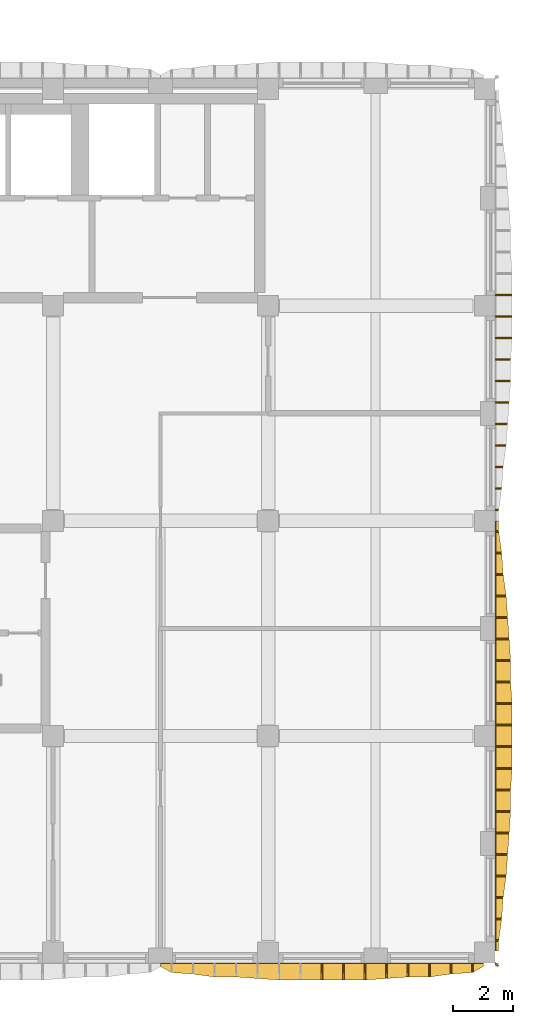
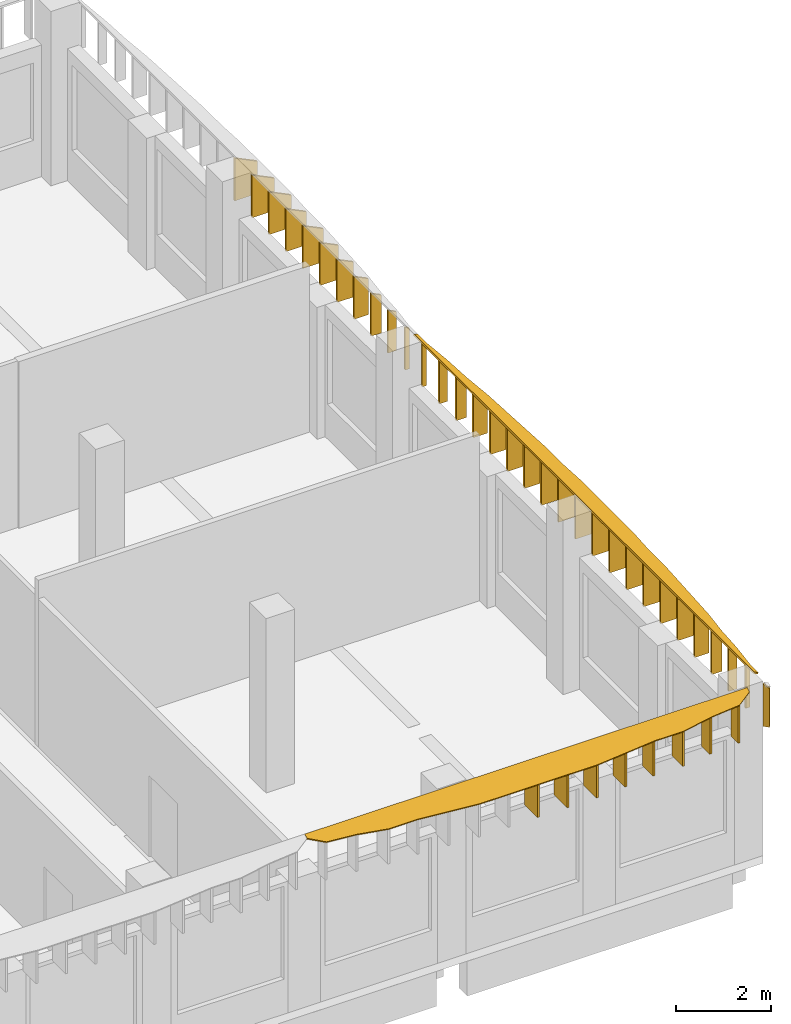
# One storey, part 27 of 44: 42 shading devices.
"""IFC4 building model written with IfcOpenShell, lengths in metres."""

from ifc_helpers import new_model, si_unit, direction, frame, origin, place, context, subcontext, project, spatial, polyline, outline, extrude, material, layer, layer_set, type_object, element, save


model = new_model("IFC4")

# Units and contexts
model_context = context("Model", 3, precision=1e-05, world=origin(), true_north=direction((0.0, 1.0)))
body_context = subcontext(model_context, "Body", "Model", "MODEL_VIEW")
ifc_project = project(units=[si_unit("LENGTHUNIT", "METRE"), si_unit("AREAUNIT", "SQUARE_METRE"), si_unit("VOLUMEUNIT", "CUBIC_METRE"), si_unit("PLANEANGLEUNIT", "RADIAN"), si_unit("MASSUNIT", "GRAM", prefix="KILO")], contexts=[model_context])

# Site, building, storey
site_placement = place(None, origin())
site = spatial("IfcSite", under=ifc_project, at=site_placement, CompositionType="ELEMENT")
building_placement = place(site_placement, origin())
building = spatial("IfcBuilding", under=site, at=building_placement, Name="Ussher Court Research Institute", CompositionType="ELEMENT")
storey_placement = place(building_placement, frame((0.0, 0.0, 18.89990234375)))
storey = spatial("IfcBuildingStorey", under=building, at=storey_placement, Name="L04", CompositionType="ELEMENT", Elevation=18.89990234375)

# Shading devices
ifc_material_1 = material(Name="Bronze anodised aluminium", Category="aluminium")
ifc_layer_1 = layer(ifc_material_1, 0.050048828125)
ifc_layer_set_1 = layer_set([ifc_layer_1], Name="Bronze anodised aluminium")
shading_device_type_1 = type_object("IfcShadingDeviceType", Name="Brim blade 100 mm deep 1100 mm high canted 26 deg wet", PredefinedType="USERDEFINED", material=ifc_layer_set_1)
for number, where, z_axis, x_axis, name in (
    (1, (104.199951171875, 18.760009765625, 3.35009765625), (0.0, 0.0, 1.0), (1.0, 0.0, 0.0), "Brim blade BS10 L04"),
    (2, (104.199951171875, 18.0400390625, 3.35009765625), (0.0, 0.0, 1.0), (1.0, 0.0, 0.0), "Brim blade BS10 L04"),
    (3, (104.199951171875, 4.360107421875, 3.35009765625), (0.0, 0.0, 1.0), (1.0, 0.0, 0.0), "Brim blade BS10 L04"),
):
    element("IfcShadingDevice", number, at=place(storey_placement, frame(where, z_axis=z_axis, x_axis=x_axis)), inside=storey, type_object=shading_device_type_1, Name=name, ObjectType="BLADE", PredefinedType="USERDEFINED", context=body_context, shape_type="SweptSolid", body=[
        extrude(outline(polyline([(0.0, 0.0), (0.10009765625, 0.0), (0.10009765625, 1.05126953125), (0.0, 1.10009765625), (0.0, 0.0)])), frame((0.0, 0.02490234375, 0.0), z_axis=(0.0, -1.0, 0.0), x_axis=(1.0, 0.0, 0.0)), (0.0, 0.0, 1.0), 0.050048828125),
    ])
ifc_material_2 = material(Name="Bronze anodised aluminium", Category="aluminium")
ifc_layer_2 = layer(ifc_material_2, 0.050048828125)
ifc_layer_set_2 = layer_set([ifc_layer_2], Name="Bronze anodised aluminium")
shading_device_type_2 = type_object("IfcShadingDeviceType", Name="Brim blade 200 mm deep 1100 mm high canted 26 deg wet", PredefinedType="USERDEFINED", material=ifc_layer_set_2)
for number, where, z_axis, x_axis, name in (
    (4, (104.199951171875, 19.47998046875, 3.35009765625), (0.0, 0.0, 1.0), (1.0, 0.0, 0.0), "Brim blade BS08 L04"),
    (5, (104.199951171875, 17.320068359375, 3.35009765625), (0.0, 0.0, 1.0), (1.0, 0.0, 0.0), "Brim blade BS08 L04"),
    (6, (104.199951171875, 5.080078125, 3.35009765625), (0.0, 0.0, 1.0), (1.0, 0.0, 0.0), "Brim blade BS08 L04"),
):
    element("IfcShadingDevice", number, at=place(storey_placement, frame(where, z_axis=z_axis, x_axis=x_axis)), inside=storey, type_object=shading_device_type_2, Name=name, ObjectType="BLADE", PredefinedType="USERDEFINED", context=body_context, shape_type="SweptSolid", body=[
        extrude(outline(polyline([(0.0, 0.0), (0.199951171875, 0.0), (0.199951171875, 1.00244140625), (0.0, 1.10009765625), (0.0, 0.0)])), frame((0.0, 0.02490234375, 0.0), z_axis=(0.0, -1.0, 0.0), x_axis=(1.0, 0.0, 0.0)), (0.0, 0.0, 1.0), 0.050048828125),
    ])
ifc_material_3 = material(Name="Bronze anodised aluminium", Category="aluminium")
ifc_layer_3 = layer(ifc_material_3, 0.050048828125)
ifc_layer_set_3 = layer_set([ifc_layer_3], Name="Bronze anodised aluminium")
shading_device_type_3 = type_object("IfcShadingDeviceType", Name="Brim blade 250 mm deep 1100 mm high canted 26 deg wet", PredefinedType="USERDEFINED", material=ifc_layer_set_3)
for number, where, z_axis, x_axis, name in (
    (7, (104.199951171875, 20.199951171875, 3.35009765625), (0.0, 0.0, 1.0), (1.0, 0.0, 0.0), "Brim blade BS07 L04"),
    (8, (104.199951171875, 16.60009765625, 3.35009765625), (0.0, 0.0, 1.0), (1.0, 0.0, 0.0), "Brim blade BS07 L04"),
    (9, (104.199951171875, 5.800048828125, 3.35009765625), (0.0, 0.0, 1.0), (1.0, 0.0, 0.0), "Brim blade BS07 L04"),
):
    element("IfcShadingDevice", number, at=place(storey_placement, frame(where, z_axis=z_axis, x_axis=x_axis)), inside=storey, type_object=shading_device_type_3, Name=name, ObjectType="BLADE", PredefinedType="USERDEFINED", context=body_context, shape_type="SweptSolid", body=[
        extrude(outline(polyline([(0.0, 0.0), (0.25, 0.0), (0.25, 0.97802734375), (0.0, 1.10009765625), (0.0, 0.0)])), frame((0.0, 0.02490234375, 0.0), z_axis=(0.0, -1.0, 0.0), x_axis=(1.0, 0.0, 0.0)), (0.0, 0.0, 1.0), 0.050048828125),
    ])
ifc_material_4 = material(Name="Bronze anodised aluminium", Category="aluminium")
ifc_layer_4 = layer(ifc_material_4, 0.050048828125)
ifc_layer_set_4 = layer_set([ifc_layer_4], Name="Bronze anodised aluminium")
shading_device_type_4 = type_object("IfcShadingDeviceType", Name="Brim blade 300 mm deep 1100 mm high canted 26 deg wet", PredefinedType="USERDEFINED", material=ifc_layer_set_4)
shading_device_1_placement = place(storey_placement, frame((103.43994140625, 3.60009765625, 3.35009765625), z_axis=(0.0, 0.0, 1.0), x_axis=(0.0, -1.0, 0.0)))
element("IfcShadingDevice", 10, at=shading_device_1_placement, inside=storey, type_object=shading_device_type_4, Name="Brim blade BS06 L04", ObjectType="BLADE", PredefinedType="USERDEFINED", context=body_context, shape_type="SweptSolid", body=[
    extrude(outline(polyline([(0.0, 0.0), (0.300048828125, 0.0), (0.300048828125, 0.95361328125), (0.0, 1.10009765625), (0.0, 0.0)])), frame((0.0, 0.02490234375, 0.0), z_axis=(0.0, -1.0, 0.0), x_axis=(1.0, 0.0, 0.0)), (0.0, 0.0, 1.0), 0.050048828125),
])
ifc_material_5 = material(Name="Bronze anodised aluminium", Category="aluminium")
ifc_layer_5 = layer(ifc_material_5, 0.050048828125)
ifc_layer_set_5 = layer_set([ifc_layer_5], Name="Bronze anodised aluminium")
shading_device_type_5 = type_object("IfcShadingDeviceType", Name="Brim blade 350 mm deep 1100 mm high canted 26 deg wet", PredefinedType="USERDEFINED", material=ifc_layer_set_5)
for number, where, z_axis, x_axis, name in (
    (11, (104.199951171875, 20.919921875, 3.35009765625), (0.0, 0.0, 1.0), (1.0, 0.0, 0.0), "Brim blade BS05 L04"),
    (12, (104.199951171875, 15.8798828125, 3.35009765625), (0.0, 0.0, 1.0), (1.0, 0.0, 0.0), "Brim blade BS05 L04"),
    (13, (104.199951171875, 6.52001953125, 3.35009765625), (0.0, 0.0, 1.0), (1.0, 0.0, 0.0), "Brim blade BS05 L04"),
    (14, (102.719970703125, 3.60009765625, 3.35009765625), (0.0, 0.0, 1.0), (0.0, -1.0, 0.0), "Brim blade BS05 L04"),
):
    element("IfcShadingDevice", number, at=place(storey_placement, frame(where, z_axis=z_axis, x_axis=x_axis)), inside=storey, type_object=shading_device_type_5, Name=name, ObjectType="BLADE", PredefinedType="USERDEFINED", context=body_context, shape_type="SweptSolid", body=[
        extrude(outline(polyline([(0.0, 0.0), (0.35009765625, 0.0), (0.35009765625, 0.92919921875), (0.0, 1.10009765625), (0.0, 0.0)])), frame((0.0, 0.02490234375, 0.0), z_axis=(0.0, -1.0, 0.0), x_axis=(1.0, 0.0, 0.0)), (0.0, 0.0, 1.0), 0.050048828125),
    ])
ifc_material_6 = material(Name="Bronze anodised aluminium", Category="aluminium")
ifc_layer_6 = layer(ifc_material_6, 0.050048828125)
ifc_layer_set_6 = layer_set([ifc_layer_6], Name="Bronze anodised aluminium")
shading_device_type_6 = type_object("IfcShadingDeviceType", Name="Brim blade 400 mm deep 1100 mm high canted 26 deg wet", PredefinedType="USERDEFINED", material=ifc_layer_set_6)
for number, where, z_axis, x_axis, name in (
    (15, (104.199951171875, 21.639892578125, 3.35009765625), (0.0, 0.0, 1.0), (1.0, 0.0, 0.0), "Brim blade BS04 L04"),
    (16, (104.199951171875, 15.159912109375, 3.35009765625), (0.0, 0.0, 1.0), (1.0, 0.0, 0.0), "Brim blade BS04 L04"),
    (17, (104.199951171875, 7.239990234375, 3.35009765625), (0.0, 0.0, 1.0), (1.0, 0.0, 0.0), "Brim blade BS04 L04"),
):
    element("IfcShadingDevice", number, at=place(storey_placement, frame(where, z_axis=z_axis, x_axis=x_axis)), inside=storey, type_object=shading_device_type_6, Name=name, ObjectType="BLADE", PredefinedType="USERDEFINED", context=body_context, shape_type="SweptSolid", body=[
        extrude(outline(polyline([(0.0, 0.0), (0.400146484375, 0.0), (0.39990234375, 0.90478515625), (0.0, 1.10009765625), (0.0, 0.0)])), frame((0.0, 0.02490234375, 0.0), z_axis=(0.0, -1.0, 0.0), x_axis=(1.0, 0.0, 0.0)), (0.0, 0.0, 1.0), 0.050048828125),
    ])
ifc_material_7 = material(Name="Bronze anodised aluminium", Category="aluminium")
ifc_layer_7 = layer(ifc_material_7, 0.050048828125)
ifc_layer_set_7 = layer_set([ifc_layer_7], Name="Bronze anodised aluminium")
shading_device_type_7 = type_object("IfcShadingDeviceType", Name="Brim blade 450 mm deep 1100 mm high canted 26 deg wet", PredefinedType="USERDEFINED", material=ifc_layer_set_7)
for number, where, z_axis, x_axis, name in (
    (18, (104.199951171875, 22.360107421875, 3.35009765625), (0.0, 0.0, 1.0), (1.0, 0.0, 0.0), "Brim blade BS03 L04"),
    (19, (104.199951171875, 14.43994140625, 3.35009765625), (0.0, 0.0, 1.0), (1.0, 0.0, 0.0), "Brim blade BS03 L04"),
    (20, (104.199951171875, 7.9599609375, 3.35009765625), (0.0, 0.0, 1.0), (1.0, 0.0, 0.0), "Brim blade BS03 L04"),
):
    element("IfcShadingDevice", number, at=place(storey_placement, frame(where, z_axis=z_axis, x_axis=x_axis)), inside=storey, type_object=shading_device_type_7, Name=name, ObjectType="BLADE", PredefinedType="USERDEFINED", context=body_context, shape_type="SweptSolid", body=[
        extrude(outline(polyline([(0.0, 0.0), (0.449951171875, 0.0), (0.449951171875, 0.880615234375), (0.0, 1.10009765625), (0.0, 0.0)])), frame((0.0, 0.02490234375, 0.0), z_axis=(0.0, -1.0, 0.0), x_axis=(1.0, 0.0, 0.0)), (0.0, 0.0, 1.0), 0.050048828125),
    ])
for number, where, z_axis, x_axis, name in (
    (21, (102.0, 3.60009765625, 3.35009765625), (0.0, 0.0, 1.0), (0.0, -1.0, 0.0), "Brim blade BS03 L04"),
    (22, (101.280029296875, 3.60009765625, 3.35009765625), (0.0, 0.0, 1.0), (0.0, -1.0, 0.0), "Brim blade BS03 L04"),
):
    element("IfcShadingDevice", number, at=place(storey_placement, frame(where, z_axis=z_axis, x_axis=x_axis)), inside=storey, type_object=shading_device_type_7, Name=name, ObjectType="BLADE", PredefinedType="USERDEFINED", context=body_context, shape_type="SweptSolid", body=[
        extrude(outline(polyline([(0.0, 0.0), (0.4501953125, 0.0), (0.449951171875, 0.880615234375), (0.0, 1.10009765625), (0.0, 0.0)])), frame((0.0, 0.02490234375, 0.0), z_axis=(0.0, -1.0, 0.0), x_axis=(1.0, 0.0, 0.0)), (0.0, 0.0, 1.0), 0.050048828125),
    ])
ifc_material_8 = material(Name="Bronze anodised aluminium", Category="aluminium")
ifc_layer_8 = layer(ifc_material_8, 0.050048828125)
ifc_layer_set_8 = layer_set([ifc_layer_8], Name="Bronze anodised aluminium")
shading_device_type_8 = type_object("IfcShadingDeviceType", Name="Brim blade 500 mm deep 1100 mm high canted 26 deg wet", PredefinedType="USERDEFINED", material=ifc_layer_set_8)
for number, where, z_axis, x_axis, name in (
    (23, (104.199951171875, 23.800048828125, 3.35009765625), (0.0, 0.0, 1.0), (1.0, 0.0, 0.0), "Brim blade BS02 L04"),
    (24, (104.199951171875, 23.080078125, 3.35009765625), (0.0, 0.0, 1.0), (1.0, 0.0, 0.0), "Brim blade BS02 L04"),
    (25, (104.199951171875, 13.719970703125, 3.35009765625), (0.0, 0.0, 1.0), (1.0, 0.0, 0.0), "Brim blade BS02 L04"),
    (26, (104.199951171875, 13.0, 3.35009765625), (0.0, 0.0, 1.0), (1.0, 0.0, 0.0), "Brim blade BS02 L04"),
    (27, (104.199951171875, 9.39990234375, 3.35009765625), (0.0, 0.0, 1.0), (1.0, 0.0, 0.0), "Brim blade BS02 L04"),
    (28, (104.199951171875, 8.679931640625, 3.35009765625), (0.0, 0.0, 1.0), (1.0, 0.0, 0.0), "Brim blade BS02 L04"),
    (29, (100.56005859375, 3.60009765625, 3.35009765625), (0.0, 0.0, 1.0), (0.0, -1.0, 0.0), "Brim blade BS02 L04"),
):
    element("IfcShadingDevice", number, at=place(storey_placement, frame(where, z_axis=z_axis, x_axis=x_axis)), inside=storey, type_object=shading_device_type_8, Name=name, ObjectType="BLADE", PredefinedType="USERDEFINED", context=body_context, shape_type="SweptSolid", body=[
        extrude(outline(polyline([(0.0, 0.0), (0.5, 0.0), (0.5, 0.856201171875), (0.0, 1.10009765625), (0.0, 0.0)])), frame((0.0, 0.02490234375, 0.0), z_axis=(0.0, -1.0, 0.0), x_axis=(1.0, 0.0, 0.0)), (0.0, 0.0, 1.0), 0.050048828125),
    ])
ifc_material_9 = material(Name="Bronze anodised aluminium", Category="aluminium")
ifc_layer_9 = layer(ifc_material_9, 0.050048828125)
ifc_layer_set_9 = layer_set([ifc_layer_9], Name="Bronze anodised aluminium")
shading_device_type_9 = type_object("IfcShadingDeviceType", Name="Brim blade 550 mm deep 1100 mm high canted 26 deg wet", PredefinedType="USERDEFINED", material=ifc_layer_set_9)
for number, where, z_axis, x_axis, name in (
    (30, (104.199951171875, 25.9599609375, 3.35009765625), (0.0, 0.0, 1.0), (1.0, 0.0, 0.0), "Brim blade BS01 L04"),
    (31, (104.199951171875, 25.239990234375, 3.35009765625), (0.0, 0.0, 1.0), (1.0, 0.0, 0.0), "Brim blade BS01 L04"),
    (32, (104.199951171875, 24.52001953125, 3.35009765625), (0.0, 0.0, 1.0), (1.0, 0.0, 0.0), "Brim blade BS01 L04"),
    (33, (104.199951171875, 12.280029296875, 3.35009765625), (0.0, 0.0, 1.0), (1.0, 0.0, 0.0), "Brim blade BS01 L04"),
    (34, (104.199951171875, 11.56005859375, 3.35009765625), (0.0, 0.0, 1.0), (1.0, 0.0, 0.0), "Brim blade BS01 L04"),
    (35, (104.199951171875, 10.840087890625, 3.35009765625), (0.0, 0.0, 1.0), (1.0, 0.0, 0.0), "Brim blade BS01 L04"),
    (36, (104.199951171875, 10.1201171875, 3.35009765625), (0.0, 0.0, 1.0), (1.0, 0.0, 0.0), "Brim blade BS01 L04"),
    (37, (99.840087890625, 3.60009765625, 3.35009765625), (0.0, 0.0, 1.0), (0.0, -1.0, 0.0), "Brim blade BS01 L04"),
    (38, (99.1201171875, 3.60009765625, 3.35009765625), (0.0, 0.0, 1.0), (0.0, -1.0, 0.0), "Brim blade BS01 L04"),
    (39, (98.39990234375, 3.60009765625, 3.35009765625), (0.0, 0.0, 1.0), (0.0, -1.0, 0.0), "Brim blade BS01 L04"),
):
    element("IfcShadingDevice", number, at=place(storey_placement, frame(where, z_axis=z_axis, x_axis=x_axis)), inside=storey, type_object=shading_device_type_9, Name=name, ObjectType="BLADE", PredefinedType="USERDEFINED", context=body_context, shape_type="SweptSolid", body=[
        extrude(outline(polyline([(0.0, 0.0), (0.550048828125, 0.0), (0.550048828125, 0.831787109375), (0.0, 1.10009765625), (0.0, 0.0)])), frame((0.0, 0.02490234375, 0.0), z_axis=(0.0, -1.0, 0.0), x_axis=(1.0, 0.0, 0.0)), (0.0, 0.0, 1.0), 0.050048828125),
    ])
ifc_material_10 = material(Name="Bronze anodised aluminium", Category="aluminium")
ifc_layer_10 = layer(ifc_material_10, 0.050048828125)
ifc_layer_set_10 = layer_set([ifc_layer_10], Name="Bronze anodised aluminium")
shading_device_type_10 = type_object("IfcShadingDeviceType", Name="Brim mitre blade 100 mm deep 1100 mm high canted 26 deg wet", PredefinedType="USERDEFINED", material=ifc_layer_set_10)
shading_device_2_placement = place(storey_placement, frame((104.199951171875, 3.60009765625, 3.35009765625), z_axis=(0.0, 0.0, 1.0), x_axis=(0.707106781187, -0.707106781187, 0.0)))
element("IfcShadingDevice", 40, at=shading_device_2_placement, inside=storey, type_object=shading_device_type_10, Name="Brim mitre blade BS18 L04", ObjectType="BLADE", PredefinedType="USERDEFINED", context=body_context, shape_type="SweptSolid", body=[
    extrude(outline(polyline([(0.0, 0.0), (0.1416015625, 0.0), (0.141357421875, 1.00244140625), (0.0, 1.10009765625), (0.0, 0.0)])), frame((0.0, 0.02490234375, 0.0), z_axis=(0.0, -1.0, 0.0), x_axis=(1.0, 0.0, 0.0)), (0.0, 0.0, 1.0), 0.050048828125),
])
ifc_material_11 = material(Name="Bronze anodised aluminium", Category="aluminium")
ifc_layer_11 = layer(ifc_material_11, 0.0400390625)
ifc_layer_set_11 = layer_set([ifc_layer_11], Name="Bronze anodised aluminium")
shading_device_type_11 = type_object("IfcShadingDeviceType", Name="Brim visor sheet 40 mm canted 26 deg wet", PredefinedType="USERDEFINED", material=ifc_layer_set_11)
shading_device_3_placement = place(storey_placement, frame((104.217529296875, 18.39990234375, 4.486083984375), z_axis=(0.438529187419, 0.0, 0.898716947532), x_axis=(0.0, -1.0, 0.0)))
element("IfcShadingDevice", 41, at=shading_device_3_placement, inside=storey, type_object=shading_device_type_11, Name="Brim visor sheet BR1 L04", ObjectType="BRIM", PredefinedType="USERDEFINED", context=body_context, shape_type="SweptSolid", body=[
    extrude(outline(polyline([(0.0, 0.0), (14.39990234375, 0.0), (14.39990234375, 0.11115260474230423), (14.039794921875, 0.11115260474230423), (13.31982421875, 0.22252462280187707), (12.599853515625, 0.2782106318316635), (11.8798828125, 0.38936323657396776), (11.159912109375, 0.4449421828138569), (10.43994140625, 0.5006281918436433), (9.719970703125, 0.5563142008734296), (9.0, 0.5563142008734296), (8.27978515625, 0.6120002099032161), (7.559814453125, 0.6120002099032161), (6.83984375, 0.6120002099032161), (6.119873046875, 0.6120002099032161), (5.39990234375, 0.5563142008734296), (4.679931640625, 0.5563142008734296), (3.9599609375, 0.5006281918436433), (3.239990234375, 0.4449421828138569), (2.52001953125, 0.38936323657396776), (1.7998046875, 0.2782106318316635), (1.079833984375, 0.22252462280187707), (0.35986328125, 0.11115260474230423), (0.0, 0.11115260474230423), (0.0, 0.0)])), origin(), (0.0, 0.0, -1.0), 0.0400390625),
])
shading_device_4_placement = place(storey_placement, frame((103.800048828125, 3.58251953125, 4.486083984375), z_axis=(0.0, -0.438461416816, 0.898750013054), x_axis=(-1.0, 0.0, 0.0)))
element("IfcShadingDevice", 42, at=shading_device_4_placement, inside=storey, type_object=shading_device_type_11, Name="Brim visor sheet BR1 L04", ObjectType="BRIM", PredefinedType="USERDEFINED", context=body_context, shape_type="SweptSolid", body=[
    extrude(outline(polyline([(0.0, 0.0), (10.800048828125, 0.0), (10.800048828125, 0.1113720187292832), (10.43994140625, 0.33389663479794396), (9.719970703125, 0.38958264416258553), (9.0, 0.5006281952576233), (8.280029296875, 0.5006281952576233), (7.56005859375, 0.5563142046222649), (6.840087890625, 0.6120002139869065), (6.1201171875, 0.6120002139869065), (5.400146484375, 0.6120002139869065), (4.679931640625, 0.6120002139869065), (3.9599609375, 0.6120002139869065), (3.239990234375, 0.5563142046222649), (2.52001953125, 0.5006281952576233), (1.800048828125, 0.5006281952576233), (1.080078125, 0.38958264416258553), (0.360107421875, 0.33389663479794396), (0.0, 0.1113720187292832), (0.0, 0.0)])), origin(), (0.0, 0.0, -1.0), 0.0400390625),
])

save(model, "model.ifc")
